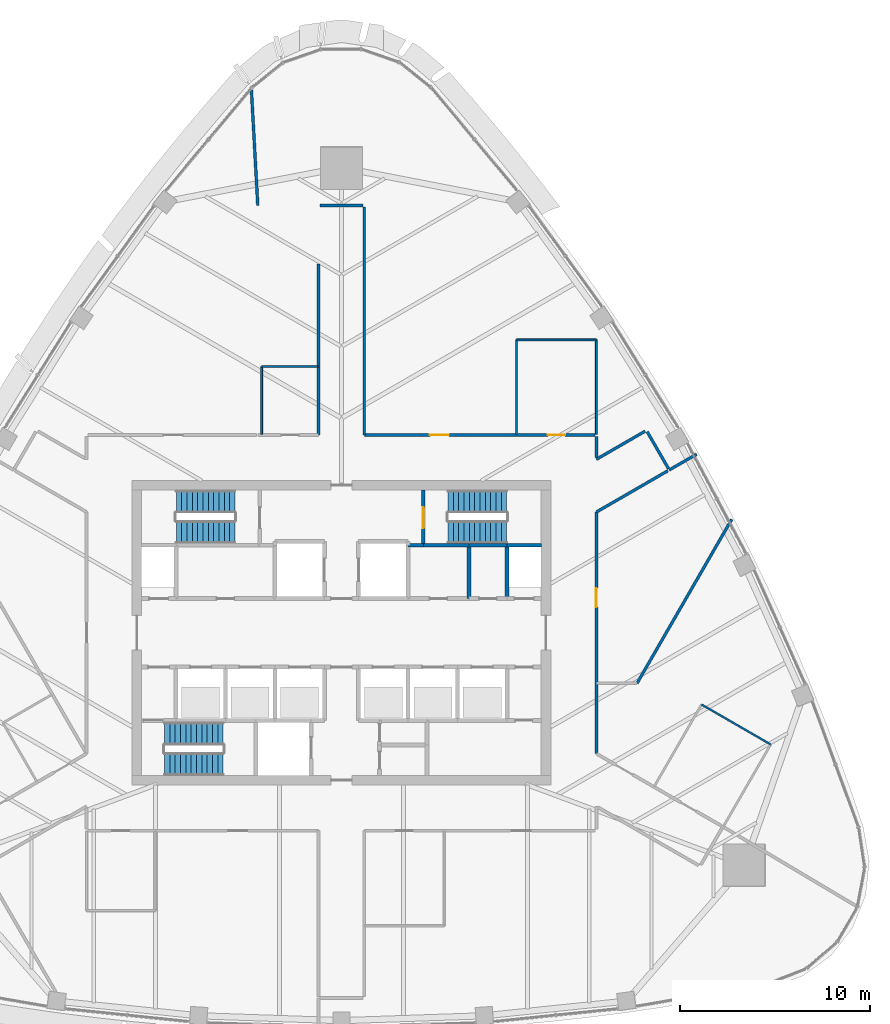
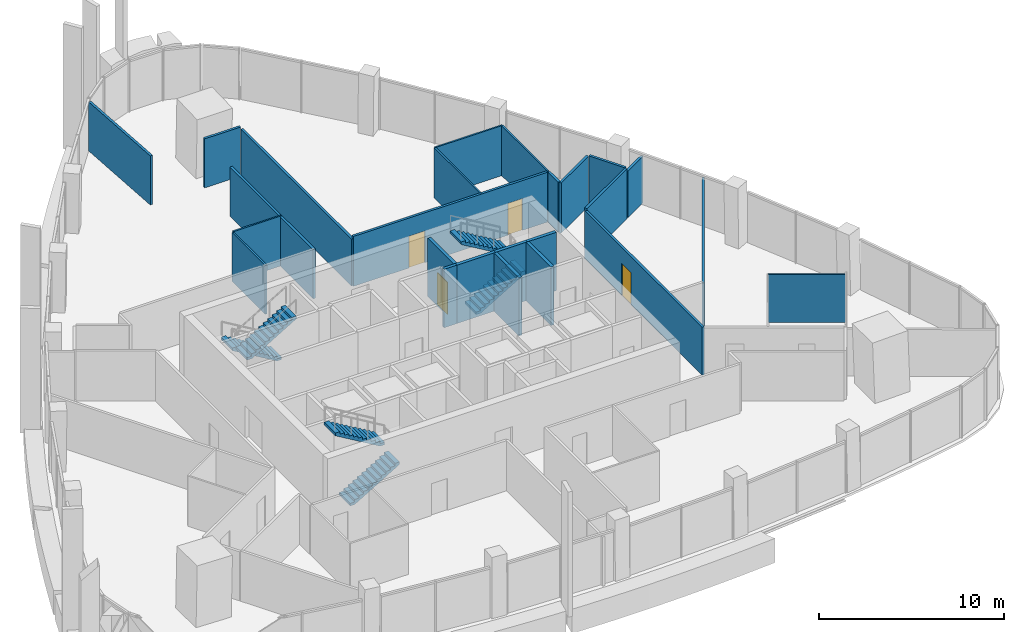
# One storey, part 11 of 16: 25 walls, 6 stair flights, 4 doors, 4 openings, 3 elements without a shape of their own.
"""IFC4 building model written with IfcOpenShell, lengths in metres."""

from ifc_helpers import new_model, si_unit, direction, frame, frame_2d, origin, place, context, subcontext, project, spatial, polyline, rectangle, outline, extrude, material, layer, layer_set, type_object, element, fill, aggregate, save


model = new_model("IFC4")

# Units and contexts
model_context = context("Model", 3, precision=1e-05, world=origin(), true_north=direction((0.0, 1.0)))
body_context = subcontext(model_context, "Body", "Model", "MODEL_VIEW")
ifc_project = project(units=[si_unit("LENGTHUNIT", "METRE"), si_unit("AREAUNIT", "SQUARE_METRE"), si_unit("VOLUMEUNIT", "CUBIC_METRE"), si_unit("PLANEANGLEUNIT", "RADIAN"), si_unit("MASSUNIT", "GRAM", prefix="KILO")], contexts=[model_context])

# Site, building, storey
site_placement = place(None, origin())
site = spatial("IfcSite", under=ifc_project, at=site_placement, CompositionType="ELEMENT")
building_placement = place(site_placement, origin())
building = spatial("IfcBuilding", under=site, at=building_placement, Name="Sierra Prisma Convention Tower", CompositionType="ELEMENT")
storey_placement = place(building_placement, frame((0.0, 0.0, 271.0)))
storey = spatial("IfcBuildingStorey", under=building, at=storey_placement, Name="L61", CompositionType="ELEMENT", Elevation=271.0)

# Walls
ifc_material_1 = material(Name="Gypsum board partition", Category="gypsum")
ifc_layer_1 = layer(ifc_material_1, 0.10009765625)
ifc_layer_set_1 = layer_set([ifc_layer_1], Name="Bathroom partition 100")
wall_type_1 = type_object("IfcWallType", Name="Bathroom partition 100", PredefinedType="PARTITIONING", material=ifc_layer_set_1)
wall_1_placement = place(storey_placement, frame((-4.199951171875, 10.429931640625, 0.0), z_axis=(0.0, 0.0, 1.0), x_axis=(0.0, 1.0, 0.0)))
element("IfcWall", 1, at=wall_1_placement, inside=storey, type_object=wall_type_1, Name="Partition L61 bath 6", PredefinedType="PARTITIONING", context=body_context, shape_type="SweptSolid", body=[
    extrude(rectangle(XDim=3.570068359375, YDim=0.10009765625, at=frame_2d((1.78515625, 0.0))), origin(), (0.0, 0.0, 1.0), 3.2470703125),
])
wall_2_placement = place(storey_placement, frame((-4.199951171875, 14.0, 0.0), z_axis=(0.0, 0.0, 1.0), x_axis=(1.0, 0.0, 0.0)))
element("IfcWall", 2, at=wall_2_placement, inside=storey, type_object=wall_type_1, Name="Partition L61 bath 7", PredefinedType="PARTITIONING", context=body_context, shape_type="SweptSolid", body=[
    extrude(rectangle(XDim=2.969970703125, YDim=0.10009765625, at=frame_2d((1.48486328125, 0.0))), origin(), (0.0, 0.0, 1.0), 3.300048828125),
])
wall_3_placement = place(storey_placement, frame((9.199951171875, 10.429931640625, 0.0), z_axis=(0.0, 0.0, 1.0), x_axis=(0.0, 1.0, 0.0)))
element("IfcWall", 3, at=wall_3_placement, inside=storey, type_object=wall_type_1, Name="Partition L61 bath 10", PredefinedType="PARTITIONING", context=body_context, shape_type="SweptSolid", body=[
    extrude(rectangle(XDim=4.969970703125, YDim=0.10009765625, at=frame_2d((2.48486328125, 0.0))), origin(), (0.0, 0.0, 1.0), 3.300048828125),
])
wall_4_placement = place(storey_placement, frame((9.199951171875, 15.39990234375, 0.0), z_axis=(0.0, 0.0, 1.0), x_axis=(1.0, 0.0, 0.0)))
element("IfcWall", 4, at=wall_4_placement, inside=storey, type_object=wall_type_1, Name="Partition L61 bath 11", PredefinedType="PARTITIONING", context=body_context, shape_type="SweptSolid", body=[
    extrude(rectangle(XDim=4.199951171875, YDim=0.10009765625, at=frame_2d((2.10009765625, 0.0))), origin(), (0.0, 0.0, 1.0), 3.300048828125),
])
wall_5_placement = place(storey_placement, frame((13.39990234375, 15.39990234375, 0.0), z_axis=(0.0, 0.0, 1.0), x_axis=(0.0, -1.0, 0.0)))
element("IfcWall", 5, at=wall_5_placement, inside=storey, type_object=wall_type_1, Name="Partition L61 bath 12", PredefinedType="PARTITIONING", context=body_context, shape_type="SweptSolid", body=[
    extrude(rectangle(XDim=4.969970703125, YDim=0.10009765625, at=frame_2d((2.48486328125, 0.0))), origin(), (0.0, 0.0, 1.0), 3.29296875),
])
wall_6_placement = place(storey_placement, frame((18.92578125, -3.767578125, 0.0), z_axis=(0.0, 0.0, 1.0), x_axis=(0.866023935413, -0.500002543286, 0.0)))
element("IfcWall", 6, at=wall_6_placement, inside=storey, type_object=wall_type_1, Name="Partition L61 bath 14", PredefinedType="PARTITIONING", context=body_context, shape_type="SweptSolid", body=[
    extrude(rectangle(XDim=4.2001953125, YDim=0.10009765625, at=frame_2d((2.10009765625, 0.0))), origin(), (0.0, 0.0, 1.0), 3.1669921875),
])
ifc_material_2 = material(Name="Concrete C30/37", Category="concrete")
ifc_layer_2 = layer(ifc_material_2, 0.199951171875)
ifc_layer_set_2 = layer_set([ifc_layer_2], Name="Core wall RC 200 C30/37")
wall_type_2 = type_object("IfcWallType", Name="Core wall RC 200 C30/37", PredefinedType="SOLIDWALL", material=ifc_layer_set_2)
wall_7_placement = place(storey_placement, frame((4.300048828125, 4.60009765625, 0.0), z_axis=(0.0, 0.0, 1.0), x_axis=(-1.0, 0.0, 0.0)))
element("IfcWall", 7, at=wall_7_placement, inside=storey, type_object=wall_type_2, Name="Core wall L61 47", PredefinedType="SOLIDWALL", context=body_context, shape_type="SweptSolid", body=[
    extrude(rectangle(XDim=0.800048828125, YDim=0.199951171875, at=frame_2d((0.39990234375, 0.0))), origin(), (0.0, 0.0, 1.0), 3.85009765625),
])
wall_8_placement = place(storey_placement, frame((6.699951171875, 4.60009765625, 0.0), z_axis=(0.0, 0.0, 1.0), x_axis=(-1.0, 0.0, 0.0)))
element("IfcWall", 8, at=wall_8_placement, inside=storey, type_object=wall_type_2, Name="Core wall L61 48", PredefinedType="SOLIDWALL", context=body_context, shape_type="SweptSolid", body=[
    extrude(rectangle(XDim=2.39990234375, YDim=0.199951171875, at=frame_2d((1.199951171875, 0.0))), origin(), (0.0, 0.0, 1.0), 3.85009765625),
])

# Wall, opening, door
wall_9_placement = place(storey_placement, frame((4.300048828125, 7.5, 0.0), z_axis=(0.0, 0.0, 1.0), x_axis=(0.0, -1.0, 0.0)))
wall_9 = element("IfcWall", 9, at=wall_9_placement, inside=storey, type_object=wall_type_2, Name="Core wall L61 49", PredefinedType="SOLIDWALL", context=body_context, shape_type="SweptSolid", body=[
    extrude(rectangle(XDim=2.89990234375, YDim=0.199951171875, at=frame_2d((1.449951171875, 0.0))), origin(), (0.0, 0.0, 1.0), 3.85009765625),
])
opening_1_placement = place(wall_9_placement, frame((0.89990234375, 0.0, 0.0)))
opening_1 = element("IfcOpeningElement", 10, at=opening_1_placement, cuts=wall_9, Name="Opening L61-D017", PredefinedType="OPENING", context=body_context, shape_type="SweptSolid", body=[
    extrude(rectangle(XDim=1.10009765625, YDim=2.10009765625, at=frame_2d((0.550048828125, 1.050048828125))), frame((0.0, 0.10009765625, 0.0), z_axis=(0.0, -1.0, 0.0), x_axis=(1.0, 0.0, 0.0)), (0.0, 0.0, 1.0), 0.199951171875),
])
ifc_material_3 = material(Name="Steel fire door leaf", Category="steel")
door_type_1 = type_object("IfcDoorType", Name="Door 1100x2100 FD90S", OperationType="SINGLE_SWING_LEFT", PredefinedType="DOOR", material=ifc_material_3)
door_1_placement = place(opening_1_placement, origin())
door_1 = element("IfcDoor", 11, at=door_1_placement, inside=storey, type_object=door_type_1, Name="Door L61 31", OperationType="SINGLE_SWING_RIGHT", OverallHeight=2.10009765625, OverallWidth=1.10009765625, PredefinedType="DOOR", context=body_context, shape_type="SweptSolid", body=[
    extrude(rectangle(XDim=1.10009765625, YDim=2.10009765625, at=frame_2d((0.550048828125, 1.050048828125))), frame((0.0, 0.02490234375, 0.0), z_axis=(0.0, -1.0, 0.0), x_axis=(1.0, 0.0, 0.0)), (0.0, 0.0, 1.0), 0.050048828125),
])
fill(opening_1, door_1)

# Walls
wall_10_placement = place(storey_placement, frame((6.699951171875, 1.800048828125, 0.0), z_axis=(0.0, 0.0, 1.0), x_axis=(0.0, 1.0, 0.0)))
element("IfcWall", 12, at=wall_10_placement, inside=storey, type_object=wall_type_2, Name="Core wall L61 57", PredefinedType="SOLIDWALL", context=body_context, shape_type="SweptSolid", body=[
    extrude(rectangle(XDim=2.800048828125, YDim=0.199951171875, at=frame_2d((1.39990234375, 0.0))), origin(), (0.0, 0.0, 1.0), 3.85009765625),
])
wall_11_placement = place(storey_placement, frame((8.699951171875, 4.60009765625, 0.0), z_axis=(0.0, 0.0, 1.0), x_axis=(-1.0, 0.0, 0.0)))
element("IfcWall", 13, at=wall_11_placement, inside=storey, type_object=wall_type_2, Name="Core wall L61 58", PredefinedType="SOLIDWALL", context=body_context, shape_type="SweptSolid", body=[
    extrude(rectangle(XDim=2.0, YDim=0.199951171875, at=frame_2d((1.0, 0.0))), origin(), (0.0, 0.0, 1.0), 3.85009765625),
])
wall_12_placement = place(storey_placement, frame((8.699951171875, 1.800048828125, 0.0), z_axis=(0.0, 0.0, 1.0), x_axis=(0.0, 1.0, 0.0)))
element("IfcWall", 14, at=wall_12_placement, inside=storey, type_object=wall_type_2, Name="Core wall L61 63", PredefinedType="SOLIDWALL", context=body_context, shape_type="SweptSolid", body=[
    extrude(rectangle(XDim=2.800048828125, YDim=0.199951171875, at=frame_2d((1.39990234375, 0.0))), origin(), (0.0, 0.0, 1.0), 3.85009765625),
])
wall_13_placement = place(storey_placement, frame((10.5, 4.60009765625, 0.0), z_axis=(0.0, 0.0, 1.0), x_axis=(-1.0, 0.0, 0.0)))
element("IfcWall", 15, at=wall_13_placement, inside=storey, type_object=wall_type_2, Name="Core wall L61 64", PredefinedType="SOLIDWALL", context=body_context, shape_type="SweptSolid", body=[
    extrude(rectangle(XDim=1.800048828125, YDim=0.199951171875, at=frame_2d((0.89990234375, 0.0))), origin(), (0.0, 0.0, 1.0), 3.85009765625),
])
ifc_material_4 = material(Name="Gypsum board partition", Category="gypsum")
ifc_layer_3 = layer(ifc_material_4, 0.14990234375)
ifc_layer_set_3 = layer_set([ifc_layer_3], Name="Corridor wall 150 gypsum EI 60")
wall_type_3 = type_object("IfcWallType", Name="Corridor wall 150 gypsum EI 60", PredefinedType="PARTITIONING", material=ifc_layer_set_3)
wall_14_placement = place(storey_placement, frame((-1.199951171875, 19.39990234375, 0.0), z_axis=(0.0, 0.0, 1.0), x_axis=(0.0, -1.0, 0.0)))
element("IfcWall", 16, at=wall_14_placement, inside=storey, type_object=wall_type_3, Name="Partition L61 corr 13", PredefinedType="PARTITIONING", context=body_context, shape_type="SweptSolid", body=[
    extrude(rectangle(XDim=9.0, YDim=0.14990234375, at=frame_2d((4.5, 0.0))), origin(), (0.0, 0.0, 1.0), 3.2470703125),
])
wall_15_placement = place(storey_placement, frame((1.1201171875, 22.4541015625, 0.0), z_axis=(0.0, 0.0, 1.0), x_axis=(-1.0, 0.0, 0.0)))
element("IfcWall", 17, at=wall_15_placement, inside=storey, type_object=wall_type_3, Name="Partition L61 corr 16", PredefinedType="PARTITIONING", context=body_context, shape_type="SweptSolid", body=[
    extrude(rectangle(XDim=2.240234375, YDim=0.14990234375, at=frame_2d((1.1201171875, 0.0))), origin(), (0.0, 0.0, 1.0), 3.23291015625),
])

# Wall, openings, doors
wall_16_placement = place(storey_placement, frame((13.320068359375, 10.39990234375, 0.0), z_axis=(0.0, 0.0, 1.0), x_axis=(-1.0, 0.0, 0.0)))
wall_16 = element("IfcWall", 18, at=wall_16_placement, inside=storey, type_object=wall_type_3, Name="Partition L61 corr 19", PredefinedType="PARTITIONING", context=body_context, shape_type="SweptSolid", body=[
    extrude(rectangle(XDim=12.1201171875, YDim=0.14990234375, at=frame_2d((6.06005859375, 0.0))), origin(), (0.0, 0.0, 1.0), 3.29296875),
])
opening_2_placement = place(wall_16_placement, frame((1.570068359375, 0.0, 0.0)))
opening_2 = element("IfcOpeningElement", 19, at=opening_2_placement, cuts=wall_16, Name="Opening L61-D026", PredefinedType="OPENING", context=body_context, shape_type="SweptSolid", body=[
    extrude(rectangle(XDim=0.89990234375, YDim=2.10009765625, at=frame_2d((0.449951171875, 1.050048828125))), frame((0.0, 0.074951171875, 0.0), z_axis=(0.0, -1.0, 0.0), x_axis=(1.0, 0.0, 0.0)), (0.0, 0.0, 1.0), 0.14990234375),
])
opening_3_placement = place(wall_16_placement, frame((7.669921875, 0.0, 0.0)))
opening_3 = element("IfcOpeningElement", 20, at=opening_3_placement, cuts=wall_16, Name="Opening L61-D027", PredefinedType="OPENING", context=body_context, shape_type="SweptSolid", body=[
    extrude(rectangle(XDim=1.0, YDim=2.10009765625, at=frame_2d((0.5, 1.050048828125))), frame((0.0, 0.074951171875, 0.0), z_axis=(0.0, -1.0, 0.0), x_axis=(1.0, 0.0, 0.0)), (0.0, 0.0, 1.0), 0.14990234375),
])
ifc_material_5 = material(Name="Steel fire door leaf", Category="steel")
door_type_2 = type_object("IfcDoorType", Name="Door 1000x2100 FD30S", OperationType="SINGLE_SWING_LEFT", PredefinedType="DOOR", material=ifc_material_5)
door_2_placement = place(opening_3_placement, origin())
door_2 = element("IfcDoor", 21, at=door_2_placement, inside=storey, type_object=door_type_2, Name="Door L61 3", OperationType="SINGLE_SWING_LEFT", OverallHeight=2.10009765625, OverallWidth=1.0, PredefinedType="DOOR", context=body_context, shape_type="SweptSolid", body=[
    extrude(rectangle(XDim=1.0, YDim=2.10009765625, at=frame_2d((0.5, 1.050048828125))), frame((0.0, 0.02490234375, 0.0), z_axis=(0.0, -1.0, 0.0), x_axis=(1.0, 0.0, 0.0)), (0.0, 0.0, 1.0), 0.050048828125),
])
fill(opening_3, door_2)
ifc_material_6 = material(Name="Steel fire door leaf", Category="steel")
door_type_3 = type_object("IfcDoorType", Name="Door 900x2100 FD30S", OperationType="SINGLE_SWING_LEFT", PredefinedType="DOOR", material=ifc_material_6)
door_3_placement = place(opening_2_placement, origin())
door_3 = element("IfcDoor", 22, at=door_3_placement, inside=storey, type_object=door_type_3, Name="Door L61 2", OperationType="SINGLE_SWING_RIGHT", OverallHeight=2.10009765625, OverallWidth=0.89990234375, PredefinedType="DOOR", context=body_context, shape_type="SweptSolid", body=[
    extrude(rectangle(XDim=0.89990234375, YDim=2.10009765625, at=frame_2d((0.449951171875, 1.050048828125))), frame((0.0, 0.02490234375, 0.0), z_axis=(0.0, -1.0, 0.0), x_axis=(1.0, 0.0, 0.0)), (0.0, 0.0, 1.0), 0.050048828125),
])
fill(opening_2, door_3)

# Walls
wall_17_placement = place(storey_placement, frame((1.199951171875, 10.39990234375, 0.0), z_axis=(0.0, 0.0, 1.0), x_axis=(0.0, 1.0, 0.0)))
element("IfcWall", 23, at=wall_17_placement, inside=storey, type_object=wall_type_3, Name="Partition L61 corr 20", PredefinedType="PARTITIONING", context=body_context, shape_type="SweptSolid", body=[
    extrude(rectangle(XDim=11.97412109375, YDim=0.14990234375, at=frame_2d((5.987060546875, 0.0))), origin(), (0.0, 0.0, 1.0), 3.096923828125),
])
wall_18_placement = place(storey_placement, frame((15.95947265625, 10.599853515625, 0.0), z_axis=(0.0, 0.0, 1.0), x_axis=(-0.866023265602, -0.500003703423, 0.0)))
element("IfcWall", 24, at=wall_18_placement, inside=storey, type_object=wall_type_3, Name="Partition L61 corr 23", PredefinedType="PARTITIONING", context=body_context, shape_type="SweptSolid", body=[
    extrude(rectangle(XDim=2.95556640625, YDim=0.14990234375, at=frame_2d((1.477783203125, 0.0))), origin(), (0.0, 0.0, 1.0), 3.300048828125),
])
wall_19_placement = place(storey_placement, frame((13.39990234375, 9.213623046875, 0.0), z_axis=(0.0, 0.0, 1.0), x_axis=(0.0, 1.0, 0.0)))
element("IfcWall", 25, at=wall_19_placement, inside=storey, type_object=wall_type_3, Name="Partition L61 corr 24", PredefinedType="PARTITIONING", context=body_context, shape_type="SweptSolid", body=[
    extrude(rectangle(XDim=1.1064453125, YDim=0.14990234375, at=frame_2d((0.55322265625, 0.0))), origin(), (0.0, 0.0, 1.0), 3.300048828125),
])
wall_20_placement = place(storey_placement, frame((17.188720703125, 8.630615234375, 0.0), z_axis=(0.0, 0.0, 1.0), x_axis=(-0.49994888933, 0.866054910533, 0.0)))
element("IfcWall", 26, at=wall_20_placement, inside=storey, type_object=wall_type_3, Name="Partition L61 corr 25", PredefinedType="PARTITIONING", context=body_context, shape_type="SweptSolid", body=[
    extrude(rectangle(XDim=2.239990234375, YDim=0.14990234375, at=frame_2d((1.1201171875, 0.0))), origin(), (0.0, 0.0, 1.0), 3.300048828125),
])

# Wall, opening, door
wall_21_placement = place(storey_placement, frame((13.39990234375, -6.350830078125, 0.0), z_axis=(0.0, 0.0, 1.0), x_axis=(0.0, 1.0, 0.0)))
wall_21 = element("IfcWall", 27, at=wall_21_placement, inside=storey, type_object=wall_type_3, Name="Partition L61 corr 27", PredefinedType="PARTITIONING", context=body_context, shape_type="SweptSolid", body=[
    extrude(rectangle(XDim=12.70166015625, YDim=0.14990234375, at=frame_2d((6.350830078125, 0.0))), origin(), (0.0, 0.0, 1.0), 3.1669921875),
])
opening_4_placement = place(wall_21_placement, frame((7.701904296875, 0.0, 0.0)))
opening_4 = element("IfcOpeningElement", 28, at=opening_4_placement, cuts=wall_21, Name="Opening L61-D025", PredefinedType="OPENING", context=body_context, shape_type="SweptSolid", body=[
    extrude(rectangle(XDim=1.0, YDim=2.10009765625, at=frame_2d((0.5, 1.050048828125))), frame((0.0, 0.074951171875, 0.0), z_axis=(0.0, -1.0, 0.0), x_axis=(1.0, 0.0, 0.0)), (0.0, 0.0, 1.0), 0.14990234375),
])
door_4_placement = place(opening_4_placement, origin())
door_4 = element("IfcDoor", 29, at=door_4_placement, inside=storey, type_object=door_type_2, Name="Door L61 1", OperationType="SINGLE_SWING_RIGHT", OverallHeight=2.10009765625, OverallWidth=1.0, PredefinedType="DOOR", context=body_context, shape_type="SweptSolid", body=[
    extrude(rectangle(XDim=1.0, YDim=2.10009765625, at=frame_2d((0.5, 1.050048828125))), frame((0.0, 0.02490234375, 0.0), z_axis=(0.0, -1.0, 0.0), x_axis=(1.0, 0.0, 0.0)), (0.0, 0.0, 1.0), 0.050048828125),
])
fill(opening_4, door_4)

# Walls
wall_22_placement = place(storey_placement, frame((13.39990234375, 6.350830078125, 0.0), z_axis=(0.0, 0.0, 1.0), x_axis=(0.866016071844, 0.500016163047, 0.0)))
element("IfcWall", 30, at=wall_22_placement, inside=storey, type_object=wall_type_3, Name="Partition L61 corr 28", PredefinedType="PARTITIONING", context=body_context, shape_type="SweptSolid", body=[
    extrude(rectangle(XDim=4.341064453125, YDim=0.14990234375, at=frame_2d((2.17041015625, 0.0))), origin(), (0.0, 0.0, 1.0), 3.300048828125),
])
ifc_material_7 = material(Name="Gypsum board partition", Category="gypsum")
ifc_layer_4 = layer(ifc_material_7, 0.14990234375)
ifc_layer_set_4 = layer_set([ifc_layer_4], Name="Party wall 150 gypsum")
wall_type_4 = type_object("IfcWallType", Name="Party wall 150 gypsum", PredefinedType="PARTITIONING", material=ifc_layer_set_4)
wall_23_placement = place(storey_placement, frame((-4.39990234375, 22.4541015625, 0.0), z_axis=(0.0, 0.0, 1.0), x_axis=(-0.055035204817, 0.998484414616, 0.0)))
element("IfcWall", 31, at=wall_23_placement, inside=storey, type_object=wall_type_4, Name="Partition L61 party 4", PredefinedType="PARTITIONING", context=body_context, shape_type="SweptSolid", body=[
    extrude(rectangle(XDim=6.09521484375, YDim=0.14990234375, at=frame_2d((3.047607421875, 0.0))), origin(), (0.0, 0.0, 1.0), 3.23388671875),
])
wall_24_placement = place(storey_placement, frame((20.511474609375, 5.96630859375, 0.0), z_axis=(0.0, 0.0, 1.0), x_axis=(-0.500016313644, -0.866015984893, 0.0)))
element("IfcWall", 32, at=wall_24_placement, inside=storey, type_object=wall_type_4, Name="Partition L61 party 6", PredefinedType="PARTITIONING", context=body_context, shape_type="SweptSolid", body=[
    extrude(rectangle(XDim=9.948486328125, YDim=0.14990234375, at=frame_2d((4.97412109375, 0.0))), origin(), (0.0, 0.0, 1.0), 3.083984375),
])
wall_25_placement = place(storey_placement, frame((17.228759765625, 8.561279296875, 0.0), z_axis=(0.0, 0.0, 1.0), x_axis=(0.866021116422, 0.500007425856, 0.0)))
element("IfcWall", 33, at=wall_25_placement, inside=storey, type_object=wall_type_4, Name="Partition L61 party 8", PredefinedType="PARTITIONING", context=body_context, shape_type="SweptSolid", body=[
    extrude(rectangle(XDim=1.65625, YDim=0.14990234375, at=frame_2d((0.828125, 0.0))), origin(), (0.0, 0.0, 1.0), 3.083984375),
])

# Stair, stair flights
ifc_material_8 = material(Name="Concrete C30/37", Category="concrete")
stair_type = type_object("IfcStairType", Name="Stair dog-leg 1200 RC", PredefinedType="HALF_TURN_STAIR", material=ifc_material_8)
stair_1_placement = place(storey_placement, origin())
stair_1 = element("IfcStair", 34, at=stair_1_placement, inside=storey, type_object=stair_type, Name="L61 S1", PredefinedType="HALF_TURN_STAIR")
ifc_material_9 = material(Name="Concrete C30/37", Category="concrete")
stair_flight_type = type_object("IfcStairFlightType", Name="Stair flight RC 1200", PredefinedType="STRAIGHT", material=ifc_material_9)
stair_flight_1_placement = place(storey_placement, frame((-9.300048828125, -6.89990234375, 0.0), z_axis=(0.0, 0.0, 1.0), x_axis=(1.0, 0.0, 0.0)))
stair_flight_1 = element("IfcStairFlight", 35, at=stair_flight_1_placement, type_object=stair_flight_type, Name="S1 flight 1", NumberOfRisers=12, NumberOfTreads=11, PredefinedType="STRAIGHT", RiserHeight=0.166666667, TreadLength=0.28, context=body_context, shape_type="SweptSolid", body=[
    extrude(outline(polyline([(0.0, 0.0), (0.0, 0.166748046875), (0.280029296875, 0.166748046875), (0.280029296875, 0.333251953125), (0.56005859375, 0.333251953125), (0.56005859375, 0.5), (0.840087890625, 0.5), (0.840087890625, 0.666748046875), (1.1201171875, 0.666748046875), (1.1201171875, 0.833251953125), (1.39990234375, 0.833251953125), (1.39990234375, 1.0), (1.679931640625, 1.0), (1.679931640625, 1.166748046875), (1.9599609375, 1.166748046875), (1.9599609375, 1.333251953125), (2.239990234375, 1.333251953125), (2.239990234375, 1.5), (2.52001953125, 1.5), (2.52001953125, 1.666748046875), (2.800048828125, 1.666748046875), (2.800048828125, 1.833251953125), (3.080078125, 1.833251953125), (3.080078125, 2.0), (3.080078125, 1.658935546875), (0.29296875, 0.0), (0.0, 0.0)])), frame((0.0, 0.60009765625, 0.0), z_axis=(0.0, -1.0, 0.0), x_axis=(1.0, 0.0, 0.0)), (0.0, 0.0, 1.0), 1.199951171875),
])
stair_flight_2_placement = place(storey_placement, frame((-6.219970703125, -5.300048828125, 2.0), z_axis=(0.0, 0.0, 1.0), x_axis=(-1.0, 0.0, 0.0)))
stair_flight_2 = element("IfcStairFlight", 36, at=stair_flight_2_placement, type_object=stair_flight_type, Name="S1 flight 2", NumberOfRisers=12, NumberOfTreads=11, PredefinedType="STRAIGHT", RiserHeight=0.166666667, TreadLength=0.28, context=body_context, shape_type="SweptSolid", body=[
    extrude(outline(polyline([(0.0, 0.0), (0.0, 0.166748046875), (0.280029296875, 0.166748046875), (0.280029296875, 0.333251953125), (0.56005859375, 0.333251953125), (0.56005859375, 0.5), (0.840087890625, 0.5), (0.840087890625, 0.666748046875), (1.1201171875, 0.666748046875), (1.1201171875, 0.833251953125), (1.39990234375, 0.833251953125), (1.39990234375, 1.0), (1.679931640625, 1.0), (1.679931640625, 1.166748046875), (1.9599609375, 1.166748046875), (1.9599609375, 1.333251953125), (2.239990234375, 1.333251953125), (2.239990234375, 1.5), (2.52001953125, 1.5), (2.52001953125, 1.666748046875), (2.800048828125, 1.666748046875), (2.800048828125, 1.833251953125), (3.080078125, 1.833251953125), (3.080078125, 2.0), (3.080078125, 1.658935546875), (0.29296875, 0.0), (0.0, 0.0)])), frame((0.0, 0.60009765625, 0.0), z_axis=(0.0, -1.0, 0.0), x_axis=(1.0, 0.0, 0.0)), (0.0, 0.0, 1.0), 1.199951171875),
])
aggregate(stair_1, [stair_flight_1, stair_flight_2])

stair_2_placement = place(storey_placement, origin())
stair_2 = element("IfcStair", 37, at=stair_2_placement, inside=storey, type_object=stair_type, Name="L61 S3", PredefinedType="HALF_TURN_STAIR")
stair_flight_3_placement = place(storey_placement, frame((-5.60009765625, 6.89990234375, 0.0), z_axis=(0.0, 0.0, 1.0), x_axis=(-1.0, 0.0, 0.0)))
stair_flight_3 = element("IfcStairFlight", 38, at=stair_flight_3_placement, type_object=stair_flight_type, Name="S3 flight 1", NumberOfRisers=12, NumberOfTreads=11, PredefinedType="STRAIGHT", RiserHeight=0.166666667, TreadLength=0.28, context=body_context, shape_type="SweptSolid", body=[
    extrude(outline(polyline([(0.0, 0.0), (0.0, 0.166748046875), (0.280029296875, 0.166748046875), (0.280029296875, 0.333251953125), (0.56005859375, 0.333251953125), (0.56005859375, 0.5), (0.840087890625, 0.5), (0.840087890625, 0.666748046875), (1.1201171875, 0.666748046875), (1.1201171875, 0.833251953125), (1.39990234375, 0.833251953125), (1.39990234375, 1.0), (1.679931640625, 1.0), (1.679931640625, 1.166748046875), (1.9599609375, 1.166748046875), (1.9599609375, 1.333251953125), (2.239990234375, 1.333251953125), (2.239990234375, 1.5), (2.52001953125, 1.5), (2.52001953125, 1.666748046875), (2.800048828125, 1.666748046875), (2.800048828125, 1.833251953125), (3.080078125, 1.833251953125), (3.080078125, 2.0), (3.080078125, 1.658935546875), (0.29296875, 0.0), (0.0, 0.0)])), frame((0.0, 0.60009765625, 0.0), z_axis=(0.0, -1.0, 0.0), x_axis=(1.0, 0.0, 0.0)), (0.0, 0.0, 1.0), 1.199951171875),
])
stair_flight_4_placement = place(storey_placement, frame((-8.679931640625, 5.300048828125, 2.0), z_axis=(0.0, 0.0, 1.0), x_axis=(1.0, 0.0, 0.0)))
stair_flight_4 = element("IfcStairFlight", 39, at=stair_flight_4_placement, type_object=stair_flight_type, Name="S3 flight 2", NumberOfRisers=12, NumberOfTreads=11, PredefinedType="STRAIGHT", RiserHeight=0.166666667, TreadLength=0.28, context=body_context, shape_type="SweptSolid", body=[
    extrude(outline(polyline([(0.0, 0.0), (0.0, 0.166748046875), (0.280029296875, 0.166748046875), (0.280029296875, 0.333251953125), (0.56005859375, 0.333251953125), (0.56005859375, 0.5), (0.840087890625, 0.5), (0.840087890625, 0.666748046875), (1.1201171875, 0.666748046875), (1.1201171875, 0.833251953125), (1.39990234375, 0.833251953125), (1.39990234375, 1.0), (1.679931640625, 1.0), (1.679931640625, 1.166748046875), (1.9599609375, 1.166748046875), (1.9599609375, 1.333251953125), (2.239990234375, 1.333251953125), (2.239990234375, 1.5), (2.52001953125, 1.5), (2.52001953125, 1.666748046875), (2.800048828125, 1.666748046875), (2.800048828125, 1.833251953125), (3.080078125, 1.833251953125), (3.080078125, 2.0), (3.080078125, 1.658935546875), (0.29296875, 0.0), (0.0, 0.0)])), frame((0.0, 0.60009765625, 0.0), z_axis=(0.0, -1.0, 0.0), x_axis=(1.0, 0.0, 0.0)), (0.0, 0.0, 1.0), 1.199951171875),
])
aggregate(stair_2, [stair_flight_3, stair_flight_4])

stair_3_placement = place(storey_placement, origin())
stair_3 = element("IfcStair", 40, at=stair_3_placement, inside=storey, type_object=stair_type, Name="L61 S4", PredefinedType="HALF_TURN_STAIR")
stair_flight_5_placement = place(storey_placement, frame((5.60009765625, 5.300048828125, 0.0), z_axis=(0.0, 0.0, 1.0), x_axis=(1.0, 0.0, 0.0)))
stair_flight_5 = element("IfcStairFlight", 41, at=stair_flight_5_placement, type_object=stair_flight_type, Name="S4 flight 1", NumberOfRisers=12, NumberOfTreads=11, PredefinedType="STRAIGHT", RiserHeight=0.166666667, TreadLength=0.28, context=body_context, shape_type="SweptSolid", body=[
    extrude(outline(polyline([(0.0, 0.0), (0.0, 0.166748046875), (0.280029296875, 0.166748046875), (0.280029296875, 0.333251953125), (0.56005859375, 0.333251953125), (0.56005859375, 0.5), (0.840087890625, 0.5), (0.840087890625, 0.666748046875), (1.1201171875, 0.666748046875), (1.1201171875, 0.833251953125), (1.39990234375, 0.833251953125), (1.39990234375, 1.0), (1.679931640625, 1.0), (1.679931640625, 1.166748046875), (1.9599609375, 1.166748046875), (1.9599609375, 1.333251953125), (2.239990234375, 1.333251953125), (2.239990234375, 1.5), (2.52001953125, 1.5), (2.52001953125, 1.666748046875), (2.800048828125, 1.666748046875), (2.800048828125, 1.833251953125), (3.080078125, 1.833251953125), (3.080078125, 2.0), (3.080078125, 1.658935546875), (0.29296875, 0.0), (0.0, 0.0)])), frame((0.0, 0.60009765625, 0.0), z_axis=(0.0, -1.0, 0.0), x_axis=(1.0, 0.0, 0.0)), (0.0, 0.0, 1.0), 1.199951171875),
])
stair_flight_6_placement = place(storey_placement, frame((8.679931640625, 6.89990234375, 2.0), z_axis=(0.0, 0.0, 1.0), x_axis=(-1.0, 0.0, 0.0)))
stair_flight_6 = element("IfcStairFlight", 42, at=stair_flight_6_placement, type_object=stair_flight_type, Name="S4 flight 2", NumberOfRisers=12, NumberOfTreads=11, PredefinedType="STRAIGHT", RiserHeight=0.166666667, TreadLength=0.28, context=body_context, shape_type="SweptSolid", body=[
    extrude(outline(polyline([(0.0, 0.0), (0.0, 0.166748046875), (0.280029296875, 0.166748046875), (0.280029296875, 0.333251953125), (0.56005859375, 0.333251953125), (0.56005859375, 0.5), (0.840087890625, 0.5), (0.840087890625, 0.666748046875), (1.1201171875, 0.666748046875), (1.1201171875, 0.833251953125), (1.39990234375, 0.833251953125), (1.39990234375, 1.0), (1.679931640625, 1.0), (1.679931640625, 1.166748046875), (1.9599609375, 1.166748046875), (1.9599609375, 1.333251953125), (2.239990234375, 1.333251953125), (2.239990234375, 1.5), (2.52001953125, 1.5), (2.52001953125, 1.666748046875), (2.800048828125, 1.666748046875), (2.800048828125, 1.833251953125), (3.080078125, 1.833251953125), (3.080078125, 2.0), (3.080078125, 1.658935546875), (0.29296875, 0.0), (0.0, 0.0)])), frame((0.0, 0.60009765625, 0.0), z_axis=(0.0, -1.0, 0.0), x_axis=(1.0, 0.0, 0.0)), (0.0, 0.0, 1.0), 1.199951171875),
])
aggregate(stair_3, [stair_flight_5, stair_flight_6])

save(model, "model.ifc")
